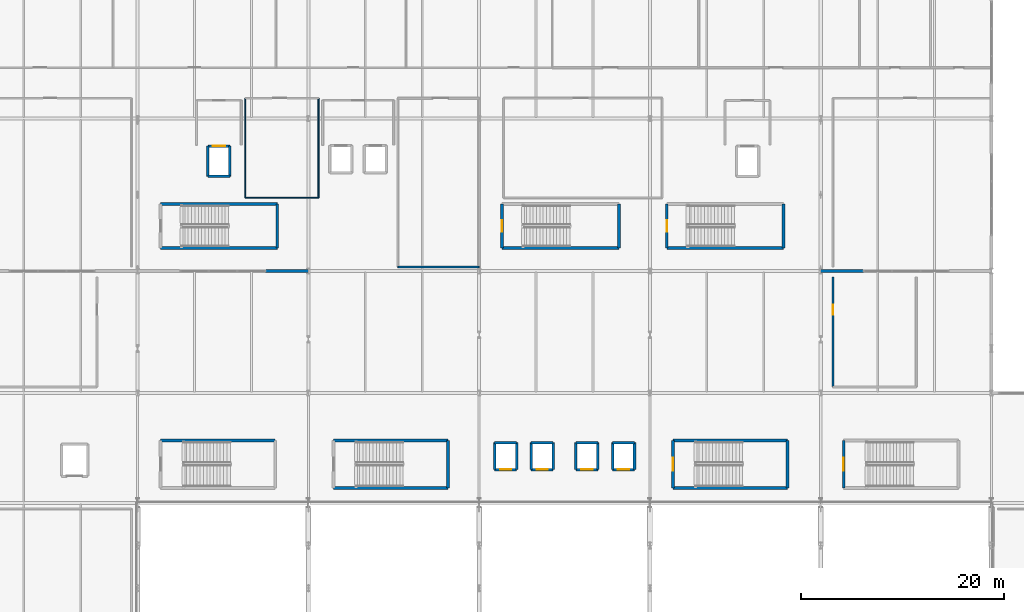
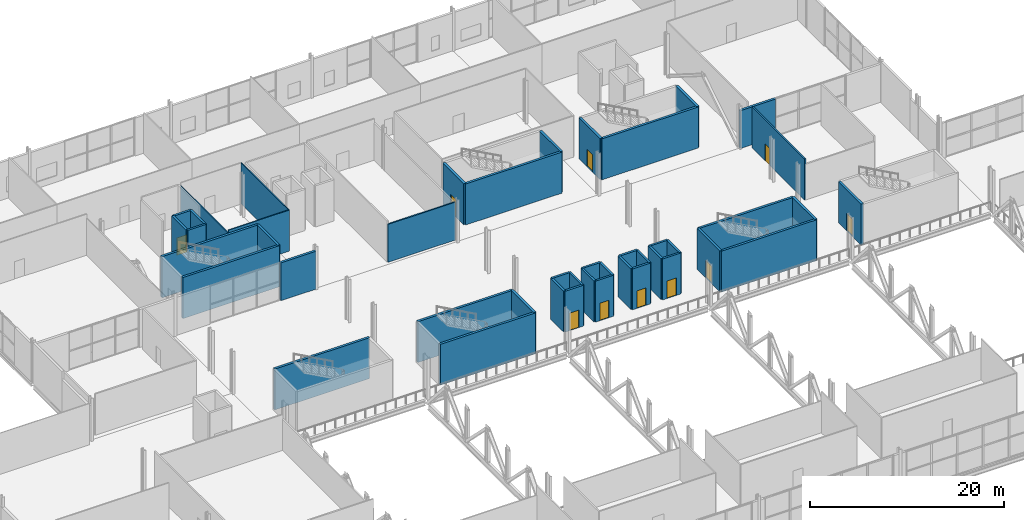
# One storey, part 62 of 84: 45 walls, 10 doors, 10 openings.
"""IFC4 building model written with IfcOpenShell, lengths in metres."""

from ifc_helpers import new_model, si_unit, direction, frame, frame_2d, origin, place, context, subcontext, project, spatial, rectangle, extrude, material, layer, layer_set, type_object, element, fill, save


model = new_model("IFC4")

# Units and contexts
model_context = context("Model", 3, precision=1e-05, world=origin(), true_north=direction((0.0, 1.0)))
body_context = subcontext(model_context, "Body", "Model", "MODEL_VIEW")
ifc_project = project(units=[si_unit("LENGTHUNIT", "METRE"), si_unit("AREAUNIT", "SQUARE_METRE"), si_unit("VOLUMEUNIT", "CUBIC_METRE"), si_unit("PLANEANGLEUNIT", "RADIAN"), si_unit("MASSUNIT", "GRAM", prefix="KILO")], contexts=[model_context])

# Site, building, storey
site_placement = place(None, origin())
site = spatial("IfcSite", under=ifc_project, at=site_placement, CompositionType="ELEMENT")
building_placement = place(site_placement, origin())
building = spatial("IfcBuilding", under=site, at=building_placement, Name="Kimbaza Rail Terminus", CompositionType="ELEMENT")
storey_placement = place(building_placement, frame((0.0, 0.0, 5.39990234375)))
storey = spatial("IfcBuildingStorey", under=building, at=storey_placement, Name="L01", CompositionType="ELEMENT", Elevation=5.39990234375)

# Walls
ifc_material_1 = material(Name="Precast concrete C40/50", Category="concrete")
ifc_layer_1 = layer(ifc_material_1, 0.280029296875)
ifc_layer_set_1 = layer_set([ifc_layer_1], Name="Precast concrete C40/50")
wall_type_1 = type_object("IfcWallType", Name="ARC-WL-EXT280", PredefinedType="STANDARD", material=ifc_layer_set_1)
for number, where, z_axis, x_axis, name in (
    (1, (84.60009765625, 103.0, 0.0), (0.0, 0.0, 1.0), (1.0, 0.0, 0.0), "Operations South Wall L01 1B"),
    (2, (139.199951171875, 103.0, 0.0), (0.0, 0.0, 1.0), (1.0, 0.0, 0.0), "Operations South Wall L01 5A"),
):
    element("IfcWall", number, at=place(storey_placement, frame(where, z_axis=z_axis, x_axis=x_axis)), inside=storey, type_object=wall_type_1, Name=name, PredefinedType="STANDARD", context=body_context, shape_type="SweptSolid", body=[
        extrude(rectangle(XDim=4.199951171875, YDim=0.280029296875, at=frame_2d((2.10009765625, 0.0))), origin(), (0.0, 0.0, 1.0), 4.76513671875),
    ])
ifc_material_2 = material(Name="Demountable acoustic glass wall", Category="glass")
ifc_layer_2 = layer(ifc_material_2, 0.110107421875)
ifc_layer_set_2 = layer_set([ifc_layer_2], Name="Demountable acoustic glass wall")
wall_type_2 = type_object("IfcWallType", Name="ARC-WL-MOV110", PredefinedType="MOVABLE", material=ifc_layer_set_2)
wall_1_placement = place(storey_placement, frame((82.60009765625, 110.199951171875, 0.0), z_axis=(0.0, 0.0, 1.0), x_axis=(1.0, 0.0, 0.0)))
element("IfcWall", 3, at=wall_1_placement, inside=storey, type_object=wall_type_2, Name="L01 Traction Metering Workshop Partition (south)", PredefinedType="MOVABLE", context=body_context, shape_type="SweptSolid", body=[
    extrude(rectangle(XDim=7.199951171875, YDim=0.110107421875, at=frame_2d((3.60009765625, 0.0))), origin(), (0.0, 0.0, 1.0), 5.16015625),
])
wall_2_placement = place(storey_placement, frame((89.800048828125, 110.199951171875, 0.0), z_axis=(0.0, 0.0, 1.0), x_axis=(0.0, 1.0, 0.0)))
element("IfcWall", 4, at=wall_2_placement, inside=storey, type_object=wall_type_2, Name="L01 Traction Metering Workshop Partition (east)", PredefinedType="MOVABLE", context=body_context, shape_type="SweptSolid", body=[
    extrude(rectangle(XDim=9.800048828125, YDim=0.110107421875, at=frame_2d((4.89990234375, 0.0))), origin(), (0.0, 0.0, 1.0), 5.16015625),
])
wall_3_placement = place(storey_placement, frame((82.60009765625, 120.0, 0.0), z_axis=(0.0, 0.0, 1.0), x_axis=(0.0, -1.0, 0.0)))
element("IfcWall", 5, at=wall_3_placement, inside=storey, type_object=wall_type_2, Name="L01 Traction Metering Workshop Partition (west)", PredefinedType="MOVABLE", context=body_context, shape_type="SweptSolid", body=[
    extrude(rectangle(XDim=9.800048828125, YDim=0.110107421875, at=frame_2d((4.89990234375, 0.0))), origin(), (0.0, 0.0, 1.0), 4.795166015625),
])
ifc_material_3 = material(Name="Acoustic gypsum stud partition", Category="gypsum")
ifc_layer_3 = layer(ifc_material_3, 0.159912109375)
ifc_layer_set_3 = layer_set([ifc_layer_3], Name="Acoustic gypsum stud partition")
wall_type_3 = type_object("IfcWallType", Name="ARC-WL-PART160", PredefinedType="PARTITIONING", material=ifc_layer_set_3)
wall_4_placement = place(storey_placement, frame((97.60009765625, 103.39990234375, 0.0), z_axis=(0.0, 0.0, 1.0), x_axis=(1.0, 0.0, 0.0)))
element("IfcWall", 6, at=wall_4_placement, inside=storey, type_object=wall_type_3, Name="L01 Network Dispatch Briefing Room Partition (south)", PredefinedType="PARTITIONING", context=body_context, shape_type="SweptSolid", body=[
    extrude(rectangle(XDim=8.0, YDim=0.159912109375, at=frame_2d((4.0, 0.0))), origin(), (0.0, 0.0, 1.0), 4.76513671875),
])

# Wall, opening, door
ifc_material_4 = material(Name="Moisture-resistant blockwork C25/30", Category="masonry")
ifc_layer_4 = layer(ifc_material_4, 0.169921875)
ifc_layer_set_4 = layer_set([ifc_layer_4], Name="Moisture-resistant blockwork C25/30")
wall_type_4 = type_object("IfcWallType", Name="ARC-WL-PLMB170", PredefinedType="PLUMBINGWALL", material=ifc_layer_set_4)
wall_5_placement = place(storey_placement, frame((140.39990234375, 102.39990234375, 0.0), z_axis=(0.0, 0.0, 1.0), x_axis=(0.0, -1.0, 0.0)))
wall_5 = element("IfcWall", 7, at=wall_5_placement, inside=storey, type_object=wall_type_4, Name="Mezzanine Accessible WC Partition (west)", PredefinedType="PLUMBINGWALL", context=body_context, shape_type="SweptSolid", body=[
    extrude(rectangle(XDim=10.7998046875, YDim=0.169921875, at=frame_2d((5.39990234375, 0.0))), origin(), (0.0, 0.0, 1.0), 5.16015625),
])
opening_1_placement = place(wall_5_placement, frame((2.72509765625, 0.0, 0.0)))
opening_1 = element("IfcOpeningElement", 8, at=opening_1_placement, cuts=wall_5, Name="Opening ID-06", PredefinedType="OPENING", context=body_context, shape_type="SweptSolid", body=[
    extrude(rectangle(XDim=0.949951171875, YDim=2.14990234375, at=frame_2d((0.47509765625, 1.074951171875))), frame((0.0, 0.094970703125, 0.0), z_axis=(0.0, -1.0, 0.0), x_axis=(1.0, 0.0, 0.0)), (0.0, 0.0, 1.0), 0.18994140625),
])
ifc_material_5 = material(Name="Accessible washroom outward-capable door", Category="wood")
door_type_1 = type_object("IfcDoorType", Name="ARC-DR-ID095", OperationType="NOTDEFINED", PredefinedType="DOOR", material=ifc_material_5)
door_1_placement = place(opening_1_placement, origin())
door_1 = element("IfcDoor", 9, at=door_1_placement, inside=storey, type_object=door_type_1, Name="IDR-SPC-L01-MAWC", OperationType="SINGLE_SWING_LEFT", OverallHeight=2.14990234375, OverallWidth=0.949951171875, PredefinedType="DOOR", context=body_context, shape_type="SweptSolid", body=[
    extrude(rectangle(XDim=0.949951171875, YDim=2.14990234375, at=frame_2d((0.47509765625, 1.074951171875))), frame((0.0, 0.02490234375, 0.0), z_axis=(0.0, -1.0, 0.0), x_axis=(1.0, 0.0, 0.0)), (0.0, 0.0, 1.0), 0.050048828125),
])
fill(opening_1, door_1)

ifc_material_6 = material(Name="Concrete C40/50", Category="concrete")
ifc_layer_5 = layer(ifc_material_6, 0.25)
ifc_layer_set_5 = layer_set([ifc_layer_5], Name="Concrete C40/50")
wall_type_5 = type_object("IfcWallType", Name="STR-WL-CORE250", PredefinedType="SHEAR", material=ifc_layer_set_5)
wall_6_placement = place(storey_placement, frame((107.1201171875, 83.469970703125, 0.0), z_axis=(0.0, 0.0, 1.0), x_axis=(1.0, 0.0, 0.0)))
wall_6 = element("IfcWall", 10, at=wall_6_placement, inside=storey, type_object=wall_type_5, Name="Lift Shaft Wall LP-01 L01-1", PredefinedType="SHEAR", context=body_context, shape_type="SweptSolid", body=[
    extrude(rectangle(XDim=2.159912109375, YDim=0.25, at=frame_2d((1.080078125, 0.0))), origin(), (0.0, 0.0, 1.0), 5.14013671875),
])
opening_2_placement = place(wall_6_placement, frame((0.530029296875, 0.0, 0.0)))
opening_2 = element("IfcOpeningElement", 11, at=opening_2_placement, cuts=wall_6, Name="Opening LD-01", PredefinedType="OPENING", context=body_context, shape_type="SweptSolid", body=[
    extrude(rectangle(XDim=1.10009765625, YDim=2.199951171875, at=frame_2d((0.550048828125, 1.10009765625))), frame((0.0, 0.135009765625, 0.0), z_axis=(0.0, -1.0, 0.0), x_axis=(1.0, 0.0, 0.0)), (0.0, 0.0, 1.0), 0.27001953125),
])
ifc_material_7 = material(Name="Brushed stainless steel sliding landing door", Category="steel")
door_type_2 = type_object("IfcDoorType", Name="ARC-DR-LD110", OperationType="NOTDEFINED", PredefinedType="DOOR", material=ifc_material_7)
door_2_placement = place(opening_2_placement, origin())
door_2 = element("IfcDoor", 12, at=door_2_placement, inside=storey, type_object=door_type_2, Name="LDR-LP-01-L01", OperationType="SLIDING_TO_LEFT", OverallHeight=2.199951171875, OverallWidth=1.10009765625, PredefinedType="DOOR", context=body_context, shape_type="SweptSolid", body=[
    extrude(rectangle(XDim=1.10009765625, YDim=2.199951171875, at=frame_2d((0.550048828125, 1.10009765625))), frame((0.0, 0.02490234375, 0.0), z_axis=(0.0, -1.0, 0.0), x_axis=(1.0, 0.0, 0.0)), (0.0, 0.0, 1.0), 0.050048828125),
])
fill(opening_2, door_2)

# Walls
wall_7_placement = place(storey_placement, frame((109.280029296875, 83.469970703125, 0.0), z_axis=(0.0, 0.0, 1.0), x_axis=(0.0, 1.0, 0.0)))
element("IfcWall", 13, at=wall_7_placement, inside=storey, type_object=wall_type_5, Name="Lift Shaft Wall LP-01 L01-2", PredefinedType="SHEAR", context=body_context, shape_type="SweptSolid", body=[
    extrude(rectangle(XDim=2.659912109375, YDim=0.25, at=frame_2d((1.330078125, 0.0))), origin(), (0.0, 0.0, 1.0), 5.14013671875),
])
wall_8_placement = place(storey_placement, frame((109.280029296875, 86.1298828125, 0.0), z_axis=(0.0, 0.0, 1.0), x_axis=(-1.0, 0.0, 0.0)))
element("IfcWall", 14, at=wall_8_placement, inside=storey, type_object=wall_type_5, Name="Lift Shaft Wall LP-01 L01-3", PredefinedType="SHEAR", context=body_context, shape_type="SweptSolid", body=[
    extrude(rectangle(XDim=2.159912109375, YDim=0.25, at=frame_2d((1.080078125, 0.0))), origin(), (0.0, 0.0, 1.0), 5.14013671875),
])
wall_9_placement = place(storey_placement, frame((107.1201171875, 86.1298828125, 0.0), z_axis=(0.0, 0.0, 1.0), x_axis=(0.0, -1.0, 0.0)))
element("IfcWall", 15, at=wall_9_placement, inside=storey, type_object=wall_type_5, Name="Lift Shaft Wall LP-01 L01-4", PredefinedType="SHEAR", context=body_context, shape_type="SweptSolid", body=[
    extrude(rectangle(XDim=2.659912109375, YDim=0.25, at=frame_2d((1.330078125, 0.0))), origin(), (0.0, 0.0, 1.0), 5.14013671875),
])

# Wall, opening, door
wall_10_placement = place(storey_placement, frame((110.719970703125, 83.469970703125, 0.0), z_axis=(0.0, 0.0, 1.0), x_axis=(1.0, 0.0, 0.0)))
wall_10 = element("IfcWall", 16, at=wall_10_placement, inside=storey, type_object=wall_type_5, Name="Lift Shaft Wall LP-02 L01-1", PredefinedType="SHEAR", context=body_context, shape_type="SweptSolid", body=[
    extrude(rectangle(XDim=2.159912109375, YDim=0.25, at=frame_2d((1.080078125, 0.0))), origin(), (0.0, 0.0, 1.0), 5.14013671875),
])
opening_3_placement = place(wall_10_placement, frame((0.530029296875, 0.0, 0.0)))
opening_3 = element("IfcOpeningElement", 17, at=opening_3_placement, cuts=wall_10, Name="Opening LD-01", PredefinedType="OPENING", context=body_context, shape_type="SweptSolid", body=[
    extrude(rectangle(XDim=1.10009765625, YDim=2.199951171875, at=frame_2d((0.550048828125, 1.10009765625))), frame((0.0, 0.135009765625, 0.0), z_axis=(0.0, -1.0, 0.0), x_axis=(1.0, 0.0, 0.0)), (0.0, 0.0, 1.0), 0.27001953125),
])
door_3_placement = place(opening_3_placement, origin())
door_3 = element("IfcDoor", 18, at=door_3_placement, inside=storey, type_object=door_type_2, Name="LDR-LP-02-L01", OperationType="SLIDING_TO_LEFT", OverallHeight=2.199951171875, OverallWidth=1.10009765625, PredefinedType="DOOR", context=body_context, shape_type="SweptSolid", body=[
    extrude(rectangle(XDim=1.10009765625, YDim=2.199951171875, at=frame_2d((0.550048828125, 1.10009765625))), frame((0.0, 0.02490234375, 0.0), z_axis=(0.0, -1.0, 0.0), x_axis=(1.0, 0.0, 0.0)), (0.0, 0.0, 1.0), 0.050048828125),
])
fill(opening_3, door_3)

# Walls
wall_11_placement = place(storey_placement, frame((112.8798828125, 83.469970703125, 0.0), z_axis=(0.0, 0.0, 1.0), x_axis=(0.0, 1.0, 0.0)))
element("IfcWall", 19, at=wall_11_placement, inside=storey, type_object=wall_type_5, Name="Lift Shaft Wall LP-02 L01-2", PredefinedType="SHEAR", context=body_context, shape_type="SweptSolid", body=[
    extrude(rectangle(XDim=2.659912109375, YDim=0.25, at=frame_2d((1.330078125, 0.0))), origin(), (0.0, 0.0, 1.0), 5.14013671875),
])
wall_12_placement = place(storey_placement, frame((112.8798828125, 86.1298828125, 0.0), z_axis=(0.0, 0.0, 1.0), x_axis=(-1.0, 0.0, 0.0)))
element("IfcWall", 20, at=wall_12_placement, inside=storey, type_object=wall_type_5, Name="Lift Shaft Wall LP-02 L01-3", PredefinedType="SHEAR", context=body_context, shape_type="SweptSolid", body=[
    extrude(rectangle(XDim=2.159912109375, YDim=0.25, at=frame_2d((1.080078125, 0.0))), origin(), (0.0, 0.0, 1.0), 5.14013671875),
])
wall_13_placement = place(storey_placement, frame((110.719970703125, 86.1298828125, 0.0), z_axis=(0.0, 0.0, 1.0), x_axis=(0.0, -1.0, 0.0)))
element("IfcWall", 21, at=wall_13_placement, inside=storey, type_object=wall_type_5, Name="Lift Shaft Wall LP-02 L01-4", PredefinedType="SHEAR", context=body_context, shape_type="SweptSolid", body=[
    extrude(rectangle(XDim=2.659912109375, YDim=0.25, at=frame_2d((1.330078125, 0.0))), origin(), (0.0, 0.0, 1.0), 5.14013671875),
])

# Wall, opening, door
wall_14_placement = place(storey_placement, frame((115.1201171875, 83.469970703125, 0.0), z_axis=(0.0, 0.0, 1.0), x_axis=(1.0, 0.0, 0.0)))
wall_14 = element("IfcWall", 22, at=wall_14_placement, inside=storey, type_object=wall_type_5, Name="Lift Shaft Wall LP-03 L01-1", PredefinedType="SHEAR", context=body_context, shape_type="SweptSolid", body=[
    extrude(rectangle(XDim=2.159912109375, YDim=0.25, at=frame_2d((1.080078125, 0.0))), origin(), (0.0, 0.0, 1.0), 5.14013671875),
])
opening_4_placement = place(wall_14_placement, frame((0.530029296875, 0.0, 0.0)))
opening_4 = element("IfcOpeningElement", 23, at=opening_4_placement, cuts=wall_14, Name="Opening LD-01", PredefinedType="OPENING", context=body_context, shape_type="SweptSolid", body=[
    extrude(rectangle(XDim=1.10009765625, YDim=2.199951171875, at=frame_2d((0.550048828125, 1.10009765625))), frame((0.0, 0.135009765625, 0.0), z_axis=(0.0, -1.0, 0.0), x_axis=(1.0, 0.0, 0.0)), (0.0, 0.0, 1.0), 0.27001953125),
])
door_4_placement = place(opening_4_placement, origin())
door_4 = element("IfcDoor", 24, at=door_4_placement, inside=storey, type_object=door_type_2, Name="LDR-LP-03-L01", OperationType="SLIDING_TO_LEFT", OverallHeight=2.199951171875, OverallWidth=1.10009765625, PredefinedType="DOOR", context=body_context, shape_type="SweptSolid", body=[
    extrude(rectangle(XDim=1.10009765625, YDim=2.199951171875, at=frame_2d((0.550048828125, 1.10009765625))), frame((0.0, 0.02490234375, 0.0), z_axis=(0.0, -1.0, 0.0), x_axis=(1.0, 0.0, 0.0)), (0.0, 0.0, 1.0), 0.050048828125),
])
fill(opening_4, door_4)

# Walls
wall_15_placement = place(storey_placement, frame((117.280029296875, 83.469970703125, 0.0), z_axis=(0.0, 0.0, 1.0), x_axis=(0.0, 1.0, 0.0)))
element("IfcWall", 25, at=wall_15_placement, inside=storey, type_object=wall_type_5, Name="Lift Shaft Wall LP-03 L01-2", PredefinedType="SHEAR", context=body_context, shape_type="SweptSolid", body=[
    extrude(rectangle(XDim=2.659912109375, YDim=0.25, at=frame_2d((1.330078125, 0.0))), origin(), (0.0, 0.0, 1.0), 5.14013671875),
])
wall_16_placement = place(storey_placement, frame((117.280029296875, 86.1298828125, 0.0), z_axis=(0.0, 0.0, 1.0), x_axis=(-1.0, 0.0, 0.0)))
element("IfcWall", 26, at=wall_16_placement, inside=storey, type_object=wall_type_5, Name="Lift Shaft Wall LP-03 L01-3", PredefinedType="SHEAR", context=body_context, shape_type="SweptSolid", body=[
    extrude(rectangle(XDim=2.159912109375, YDim=0.25, at=frame_2d((1.080078125, 0.0))), origin(), (0.0, 0.0, 1.0), 5.14013671875),
])
wall_17_placement = place(storey_placement, frame((115.1201171875, 86.1298828125, 0.0), z_axis=(0.0, 0.0, 1.0), x_axis=(0.0, -1.0, 0.0)))
element("IfcWall", 27, at=wall_17_placement, inside=storey, type_object=wall_type_5, Name="Lift Shaft Wall LP-03 L01-4", PredefinedType="SHEAR", context=body_context, shape_type="SweptSolid", body=[
    extrude(rectangle(XDim=2.659912109375, YDim=0.25, at=frame_2d((1.330078125, 0.0))), origin(), (0.0, 0.0, 1.0), 5.14013671875),
])

# Wall, opening, door
wall_18_placement = place(storey_placement, frame((118.719970703125, 83.469970703125, 0.0), z_axis=(0.0, 0.0, 1.0), x_axis=(1.0, 0.0, 0.0)))
wall_18 = element("IfcWall", 28, at=wall_18_placement, inside=storey, type_object=wall_type_5, Name="Lift Shaft Wall LP-04 L01-1", PredefinedType="SHEAR", context=body_context, shape_type="SweptSolid", body=[
    extrude(rectangle(XDim=2.159912109375, YDim=0.25, at=frame_2d((1.080078125, 0.0))), origin(), (0.0, 0.0, 1.0), 5.14013671875),
])
opening_5_placement = place(wall_18_placement, frame((0.530029296875, 0.0, 0.0)))
opening_5 = element("IfcOpeningElement", 29, at=opening_5_placement, cuts=wall_18, Name="Opening LD-01", PredefinedType="OPENING", context=body_context, shape_type="SweptSolid", body=[
    extrude(rectangle(XDim=1.10009765625, YDim=2.199951171875, at=frame_2d((0.550048828125, 1.10009765625))), frame((0.0, 0.135009765625, 0.0), z_axis=(0.0, -1.0, 0.0), x_axis=(1.0, 0.0, 0.0)), (0.0, 0.0, 1.0), 0.27001953125),
])
door_5_placement = place(opening_5_placement, origin())
door_5 = element("IfcDoor", 30, at=door_5_placement, inside=storey, type_object=door_type_2, Name="LDR-LP-04-L01", OperationType="SLIDING_TO_LEFT", OverallHeight=2.199951171875, OverallWidth=1.10009765625, PredefinedType="DOOR", context=body_context, shape_type="SweptSolid", body=[
    extrude(rectangle(XDim=1.10009765625, YDim=2.199951171875, at=frame_2d((0.550048828125, 1.10009765625))), frame((0.0, 0.02490234375, 0.0), z_axis=(0.0, -1.0, 0.0), x_axis=(1.0, 0.0, 0.0)), (0.0, 0.0, 1.0), 0.050048828125),
])
fill(opening_5, door_5)

# Walls
wall_19_placement = place(storey_placement, frame((120.8798828125, 83.469970703125, 0.0), z_axis=(0.0, 0.0, 1.0), x_axis=(0.0, 1.0, 0.0)))
element("IfcWall", 31, at=wall_19_placement, inside=storey, type_object=wall_type_5, Name="Lift Shaft Wall LP-04 L01-2", PredefinedType="SHEAR", context=body_context, shape_type="SweptSolid", body=[
    extrude(rectangle(XDim=2.659912109375, YDim=0.25, at=frame_2d((1.330078125, 0.0))), origin(), (0.0, 0.0, 1.0), 5.14013671875),
])
wall_20_placement = place(storey_placement, frame((120.8798828125, 86.1298828125, 0.0), z_axis=(0.0, 0.0, 1.0), x_axis=(-1.0, 0.0, 0.0)))
element("IfcWall", 32, at=wall_20_placement, inside=storey, type_object=wall_type_5, Name="Lift Shaft Wall LP-04 L01-3", PredefinedType="SHEAR", context=body_context, shape_type="SweptSolid", body=[
    extrude(rectangle(XDim=2.159912109375, YDim=0.25, at=frame_2d((1.080078125, 0.0))), origin(), (0.0, 0.0, 1.0), 5.14013671875),
])
wall_21_placement = place(storey_placement, frame((118.719970703125, 86.1298828125, 0.0), z_axis=(0.0, 0.0, 1.0), x_axis=(0.0, -1.0, 0.0)))
element("IfcWall", 33, at=wall_21_placement, inside=storey, type_object=wall_type_5, Name="Lift Shaft Wall LP-04 L01-4", PredefinedType="SHEAR", context=body_context, shape_type="SweptSolid", body=[
    extrude(rectangle(XDim=2.659912109375, YDim=0.25, at=frame_2d((1.330078125, 0.0))), origin(), (0.0, 0.0, 1.0), 5.14013671875),
])
wall_22_placement = place(storey_placement, frame((78.919921875, 112.320068359375, 0.0), z_axis=(0.0, 0.0, 1.0), x_axis=(1.0, 0.0, 0.0)))
element("IfcWall", 34, at=wall_22_placement, inside=storey, type_object=wall_type_5, Name="Lift Shaft Wall LF-01 L01-1", PredefinedType="SHEAR", context=body_context, shape_type="SweptSolid", body=[
    extrude(rectangle(XDim=2.16015625, YDim=0.25, at=frame_2d((1.080078125, 0.0))), origin(), (0.0, 0.0, 1.0), 5.16015625),
])
wall_23_placement = place(storey_placement, frame((81.080078125, 112.320068359375, 0.0), z_axis=(0.0, 0.0, 1.0), x_axis=(0.0, 1.0, 0.0)))
element("IfcWall", 35, at=wall_23_placement, inside=storey, type_object=wall_type_5, Name="Lift Shaft Wall LF-01 L01-2", PredefinedType="SHEAR", context=body_context, shape_type="SweptSolid", body=[
    extrude(rectangle(XDim=2.9599609375, YDim=0.25, at=frame_2d((1.47998046875, 0.0))), origin(), (0.0, 0.0, 1.0), 5.16015625),
])

# Wall, opening, door
wall_24_placement = place(storey_placement, frame((81.080078125, 115.280029296875, 0.0), z_axis=(0.0, 0.0, 1.0), x_axis=(-1.0, 0.0, 0.0)))
wall_24 = element("IfcWall", 36, at=wall_24_placement, inside=storey, type_object=wall_type_5, Name="Lift Shaft Wall LF-01 L01-3", PredefinedType="SHEAR", context=body_context, shape_type="SweptSolid", body=[
    extrude(rectangle(XDim=2.16015625, YDim=0.25, at=frame_2d((1.080078125, 0.0))), origin(), (0.0, 0.0, 1.0), 5.16015625),
])
opening_6_placement = place(wall_24_placement, frame((0.47998046875, 0.0, 0.0)))
opening_6 = element("IfcOpeningElement", 37, at=opening_6_placement, cuts=wall_24, Name="Opening LD-02", PredefinedType="OPENING", context=body_context, shape_type="SweptSolid", body=[
    extrude(rectangle(XDim=1.199951171875, YDim=2.199951171875, at=frame_2d((0.60009765625, 1.10009765625))), frame((0.0, 0.135009765625, 0.0), z_axis=(0.0, -1.0, 0.0), x_axis=(1.0, 0.0, 0.0)), (0.0, 0.0, 1.0), 0.27001953125),
])
ifc_material_8 = material(Name="Firefighting stainless steel landing door", Category="steel")
door_type_3 = type_object("IfcDoorType", Name="ARC-DR-LD120", OperationType="NOTDEFINED", PredefinedType="DOOR", material=ifc_material_8)
door_6_placement = place(opening_6_placement, origin())
door_6 = element("IfcDoor", 38, at=door_6_placement, inside=storey, type_object=door_type_3, Name="LDR-LF-01-L01", OperationType="SLIDING_TO_LEFT", OverallHeight=2.199951171875, OverallWidth=1.199951171875, PredefinedType="DOOR", context=body_context, shape_type="SweptSolid", body=[
    extrude(rectangle(XDim=1.199951171875, YDim=2.199951171875, at=frame_2d((0.60009765625, 1.10009765625))), frame((0.0, 0.02490234375, 0.0), z_axis=(0.0, -1.0, 0.0), x_axis=(1.0, 0.0, 0.0)), (0.0, 0.0, 1.0), 0.050048828125),
])
fill(opening_6, door_6)

# Walls
wall_25_placement = place(storey_placement, frame((78.919921875, 115.280029296875, 0.0), z_axis=(0.0, 0.0, 1.0), x_axis=(0.0, -1.0, 0.0)))
element("IfcWall", 39, at=wall_25_placement, inside=storey, type_object=wall_type_5, Name="Lift Shaft Wall LF-01 L01-4", PredefinedType="SHEAR", context=body_context, shape_type="SweptSolid", body=[
    extrude(rectangle(XDim=2.9599609375, YDim=0.25, at=frame_2d((1.47998046875, 0.0))), origin(), (0.0, 0.0, 1.0), 5.16015625),
])
ifc_material_9 = material(Name="Concrete C40/50", Category="concrete")
ifc_layer_6 = layer(ifc_material_9, 0.280029296875)
ifc_layer_set_6 = layer_set([ifc_layer_6], Name="Concrete C40/50")
wall_type_6 = type_object("IfcWallType", Name="STR-WL-CORE280", PredefinedType="SHEAR", material=ifc_layer_set_6)
wall_26_placement = place(storey_placement, frame((74.260009765625, 105.260009765625, 0.0), z_axis=(0.0, 0.0, 1.0), x_axis=(1.0, 0.0, 0.0)))
element("IfcWall", 40, at=wall_26_placement, inside=storey, type_object=wall_type_6, Name="Operations West Exit Stair Shaft Wall L01-1", PredefinedType="SHEAR", context=body_context, shape_type="SweptSolid", body=[
    extrude(rectangle(XDim=11.47998046875, YDim=0.280029296875, at=frame_2d((5.739990234375, 0.0))), origin(), (0.0, 0.0, 1.0), 5.16015625),
])
wall_27_placement = place(storey_placement, frame((85.739990234375, 105.260009765625, 0.0), z_axis=(0.0, 0.0, 1.0), x_axis=(0.0, 1.0, 0.0)))
element("IfcWall", 41, at=wall_27_placement, inside=storey, type_object=wall_type_6, Name="Operations West Exit Stair Shaft Wall L01-2", PredefinedType="SHEAR", context=body_context, shape_type="SweptSolid", body=[
    extrude(rectangle(XDim=4.320068359375, YDim=0.280029296875, at=frame_2d((2.16015625, 0.0))), origin(), (0.0, 0.0, 1.0), 5.16015625),
])
for number, where, z_axis, x_axis, name in (
    (42, (85.739990234375, 109.580078125, 0.0), (0.0, 0.0, 1.0), (-1.0, 0.0, 0.0), "Operations West Exit Stair Shaft Wall L01-3"),
    (43, (107.860107421875, 105.260009765625, 0.0), (0.0, 0.0, 1.0), (1.0, 0.0, 0.0), "Operations Central Exit Stair Shaft Wall L01-1"),
):
    element("IfcWall", number, at=place(storey_placement, frame(where, z_axis=z_axis, x_axis=x_axis)), inside=storey, type_object=wall_type_6, Name=name, PredefinedType="SHEAR", context=body_context, shape_type="SweptSolid", body=[
        extrude(rectangle(XDim=11.47998046875, YDim=0.280029296875, at=frame_2d((5.739990234375, 0.0))), origin(), (0.0, 0.0, 1.0), 5.16015625),
    ])
wall_28_placement = place(storey_placement, frame((119.340087890625, 105.260009765625, 0.0), z_axis=(0.0, 0.0, 1.0), x_axis=(0.0, 1.0, 0.0)))
element("IfcWall", 44, at=wall_28_placement, inside=storey, type_object=wall_type_6, Name="Operations Central Exit Stair Shaft Wall L01-2", PredefinedType="SHEAR", context=body_context, shape_type="SweptSolid", body=[
    extrude(rectangle(XDim=4.320068359375, YDim=0.280029296875, at=frame_2d((2.16015625, 0.0))), origin(), (0.0, 0.0, 1.0), 5.16015625),
])

# Wall, opening, door
wall_29_placement = place(storey_placement, frame((107.860107421875, 109.580078125, 0.0), z_axis=(0.0, 0.0, 1.0), x_axis=(0.0, -1.0, 0.0)))
wall_29 = element("IfcWall", 45, at=wall_29_placement, inside=storey, type_object=wall_type_6, Name="Operations Central Exit Stair Shaft Wall L01-4", PredefinedType="SHEAR", context=body_context, shape_type="SweptSolid", body=[
    extrude(rectangle(XDim=4.320068359375, YDim=0.280029296875, at=frame_2d((2.16015625, 0.0))), origin(), (0.0, 0.0, 1.0), 5.16015625),
])
opening_7_placement = place(wall_29_placement, frame((1.5849609375, 0.0, 0.0)))
opening_7 = element("IfcOpeningElement", 46, at=opening_7_placement, cuts=wall_29, Name="Opening FD-03", PredefinedType="OPENING", context=body_context, shape_type="SweptSolid", body=[
    extrude(rectangle(XDim=1.14990234375, YDim=2.199951171875, at=frame_2d((0.574951171875, 1.10009765625))), frame((0.0, 0.14990234375, 0.0), z_axis=(0.0, -1.0, 0.0), x_axis=(1.0, 0.0, 0.0)), (0.0, 0.0, 1.0), 0.300048828125),
])
ifc_material_10 = material(Name="Firefighting lobby self-closing steel door", Category="steel")
door_type_4 = type_object("IfcDoorType", Name="ARC-DR-FD115", OperationType="NOTDEFINED", PredefinedType="DOOR", material=ifc_material_10)
door_7_placement = place(opening_7_placement, origin())
door_7 = element("IfcDoor", 47, at=door_7_placement, inside=storey, type_object=door_type_4, Name="SDR-ST-M1-L01", OperationType="SINGLE_SWING_LEFT", OverallHeight=2.199951171875, OverallWidth=1.14990234375, PredefinedType="DOOR", context=body_context, shape_type="SweptSolid", body=[
    extrude(rectangle(XDim=1.14990234375, YDim=2.199951171875, at=frame_2d((0.574951171875, 1.10009765625))), frame((0.0, 0.02490234375, 0.0), z_axis=(0.0, -1.0, 0.0), x_axis=(1.0, 0.0, 0.0)), (0.0, 0.0, 1.0), 0.050048828125),
])
fill(opening_7, door_7)

# Walls
wall_30_placement = place(storey_placement, frame((124.06005859375, 105.260009765625, 0.0), z_axis=(0.0, 0.0, 1.0), x_axis=(1.0, 0.0, 0.0)))
element("IfcWall", 48, at=wall_30_placement, inside=storey, type_object=wall_type_6, Name="Operations East Exit Stair Shaft Wall L01-1", PredefinedType="SHEAR", context=body_context, shape_type="SweptSolid", body=[
    extrude(rectangle(XDim=11.47998046875, YDim=0.280029296875, at=frame_2d((5.739990234375, 0.0))), origin(), (0.0, 0.0, 1.0), 5.16015625),
])
wall_31_placement = place(storey_placement, frame((135.5400390625, 105.260009765625, 0.0), z_axis=(0.0, 0.0, 1.0), x_axis=(0.0, 1.0, 0.0)))
element("IfcWall", 49, at=wall_31_placement, inside=storey, type_object=wall_type_6, Name="Operations East Exit Stair Shaft Wall L01-2", PredefinedType="SHEAR", context=body_context, shape_type="SweptSolid", body=[
    extrude(rectangle(XDim=4.320068359375, YDim=0.280029296875, at=frame_2d((2.16015625, 0.0))), origin(), (0.0, 0.0, 1.0), 5.16015625),
])

# Wall, opening, door
wall_32_placement = place(storey_placement, frame((124.06005859375, 109.580078125, 0.0), z_axis=(0.0, 0.0, 1.0), x_axis=(0.0, -1.0, 0.0)))
wall_32 = element("IfcWall", 50, at=wall_32_placement, inside=storey, type_object=wall_type_6, Name="Operations East Exit Stair Shaft Wall L01-4", PredefinedType="SHEAR", context=body_context, shape_type="SweptSolid", body=[
    extrude(rectangle(XDim=4.320068359375, YDim=0.280029296875, at=frame_2d((2.16015625, 0.0))), origin(), (0.0, 0.0, 1.0), 5.16015625),
])
opening_8_placement = place(wall_32_placement, frame((1.5849609375, 0.0, 0.0)))
opening_8 = element("IfcOpeningElement", 51, at=opening_8_placement, cuts=wall_32, Name="Opening FD-03", PredefinedType="OPENING", context=body_context, shape_type="SweptSolid", body=[
    extrude(rectangle(XDim=1.14990234375, YDim=2.199951171875, at=frame_2d((0.574951171875, 1.10009765625))), frame((0.0, 0.14990234375, 0.0), z_axis=(0.0, -1.0, 0.0), x_axis=(1.0, 0.0, 0.0)), (0.0, 0.0, 1.0), 0.300048828125),
])
door_8_placement = place(opening_8_placement, origin())
door_8 = element("IfcDoor", 52, at=door_8_placement, inside=storey, type_object=door_type_4, Name="SDR-ST-E1-L01", OperationType="SINGLE_SWING_LEFT", OverallHeight=2.199951171875, OverallWidth=1.14990234375, PredefinedType="DOOR", context=body_context, shape_type="SweptSolid", body=[
    extrude(rectangle(XDim=1.14990234375, YDim=2.199951171875, at=frame_2d((0.574951171875, 1.10009765625))), frame((0.0, 0.02490234375, 0.0), z_axis=(0.0, -1.0, 0.0), x_axis=(1.0, 0.0, 0.0)), (0.0, 0.0, 1.0), 0.050048828125),
])
fill(opening_8, door_8)

# Wall
wall_33_placement = place(storey_placement, frame((85.5400390625, 86.340087890625, 0.0), z_axis=(0.0, 0.0, 1.0), x_axis=(-1.0, 0.0, 0.0)))
element("IfcWall", 53, at=wall_33_placement, inside=storey, type_object=wall_type_6, Name="Platform West Concourse Stair Shaft Wall L01-3", PredefinedType="SHEAR", context=body_context, shape_type="SweptSolid", body=[
    extrude(rectangle(XDim=11.280029296875, YDim=0.280029296875, at=frame_2d((5.64013671875, 0.0))), origin(), (0.0, 0.0, 1.0), 5.14013671875),
])

# Wall, opening, door
wall_34_placement = place(storey_placement, frame((141.4599609375, 86.340087890625, 0.0), z_axis=(0.0, 0.0, 1.0), x_axis=(0.0, -1.0, 0.0)))
wall_34 = element("IfcWall", 54, at=wall_34_placement, inside=storey, type_object=wall_type_6, Name="Platform East Concourse Stair Shaft Wall L01-4", PredefinedType="SHEAR", context=body_context, shape_type="SweptSolid", body=[
    extrude(rectangle(XDim=4.68017578125, YDim=0.280029296875, at=frame_2d((2.340087890625, 0.0))), origin(), (0.0, 0.0, 1.0), 5.14013671875),
])
opening_9_placement = place(wall_34_placement, frame((1.715087890625, 0.0, 0.0)))
opening_9 = element("IfcOpeningElement", 55, at=opening_9_placement, cuts=wall_34, Name="Opening FD-02", PredefinedType="OPENING", context=body_context, shape_type="SweptSolid", body=[
    extrude(rectangle(XDim=1.25, YDim=2.199951171875, at=frame_2d((0.625, 1.10009765625))), frame((0.0, 0.14990234375, 0.0), z_axis=(0.0, -1.0, 0.0), x_axis=(1.0, 0.0, 0.0)), (0.0, 0.0, 1.0), 0.300048828125),
])
ifc_material_11 = material(Name="Galvanised painted steel fire stair door", Category="steel")
door_type_5 = type_object("IfcDoorType", Name="ARC-DR-FD125", OperationType="NOTDEFINED", PredefinedType="DOOR", material=ifc_material_11)
door_9_placement = place(opening_9_placement, origin())
door_9 = element("IfcDoor", 56, at=door_9_placement, inside=storey, type_object=door_type_5, Name="SDR-ST-C2-L01", OperationType="SINGLE_SWING_LEFT", OverallHeight=2.199951171875, OverallWidth=1.25, PredefinedType="DOOR", context=body_context, shape_type="SweptSolid", body=[
    extrude(rectangle(XDim=1.25, YDim=2.199951171875, at=frame_2d((0.625, 1.10009765625))), frame((0.0, 0.02490234375, 0.0), z_axis=(0.0, -1.0, 0.0), x_axis=(1.0, 0.0, 0.0)), (0.0, 0.0, 1.0), 0.050048828125),
])
fill(opening_9, door_9)

# Walls
wall_35_placement = place(storey_placement, frame((91.260009765625, 81.659912109375, 0.0), z_axis=(0.0, 0.0, 1.0), x_axis=(1.0, 0.0, 0.0)))
element("IfcWall", 57, at=wall_35_placement, inside=storey, type_object=wall_type_6, Name="Footbridge West Platform Stair Shaft Wall L01-1", PredefinedType="SHEAR", context=body_context, shape_type="SweptSolid", body=[
    extrude(rectangle(XDim=11.280029296875, YDim=0.280029296875, at=frame_2d((5.64013671875, 0.0))), origin(), (0.0, 0.0, 1.0), 5.14013671875),
])
wall_36_placement = place(storey_placement, frame((102.5400390625, 81.659912109375, 0.0), z_axis=(0.0, 0.0, 1.0), x_axis=(0.0, 1.0, 0.0)))
element("IfcWall", 58, at=wall_36_placement, inside=storey, type_object=wall_type_6, Name="Footbridge West Platform Stair Shaft Wall L01-2", PredefinedType="SHEAR", context=body_context, shape_type="SweptSolid", body=[
    extrude(rectangle(XDim=4.68017578125, YDim=0.280029296875, at=frame_2d((2.340087890625, 0.0))), origin(), (0.0, 0.0, 1.0), 5.14013671875),
])
for number, where, z_axis, x_axis, name in (
    (59, (102.5400390625, 86.340087890625, 0.0), (0.0, 0.0, 1.0), (-1.0, 0.0, 0.0), "Footbridge West Platform Stair Shaft Wall L01-3"),
    (60, (124.659912109375, 81.659912109375, 0.0), (0.0, 0.0, 1.0), (1.0, 0.0, 0.0), "Footbridge East Platform Stair Shaft Wall L01-1"),
):
    element("IfcWall", number, at=place(storey_placement, frame(where, z_axis=z_axis, x_axis=x_axis)), inside=storey, type_object=wall_type_6, Name=name, PredefinedType="SHEAR", context=body_context, shape_type="SweptSolid", body=[
        extrude(rectangle(XDim=11.280029296875, YDim=0.280029296875, at=frame_2d((5.64013671875, 0.0))), origin(), (0.0, 0.0, 1.0), 5.14013671875),
    ])
wall_37_placement = place(storey_placement, frame((135.93994140625, 81.659912109375, 0.0), z_axis=(0.0, 0.0, 1.0), x_axis=(0.0, 1.0, 0.0)))
element("IfcWall", 61, at=wall_37_placement, inside=storey, type_object=wall_type_6, Name="Footbridge East Platform Stair Shaft Wall L01-2", PredefinedType="SHEAR", context=body_context, shape_type="SweptSolid", body=[
    extrude(rectangle(XDim=4.68017578125, YDim=0.280029296875, at=frame_2d((2.340087890625, 0.0))), origin(), (0.0, 0.0, 1.0), 5.14013671875),
])
wall_38_placement = place(storey_placement, frame((135.93994140625, 86.340087890625, 0.0), z_axis=(0.0, 0.0, 1.0), x_axis=(-1.0, 0.0, 0.0)))
element("IfcWall", 62, at=wall_38_placement, inside=storey, type_object=wall_type_6, Name="Footbridge East Platform Stair Shaft Wall L01-3", PredefinedType="SHEAR", context=body_context, shape_type="SweptSolid", body=[
    extrude(rectangle(XDim=11.280029296875, YDim=0.280029296875, at=frame_2d((5.64013671875, 0.0))), origin(), (0.0, 0.0, 1.0), 5.14013671875),
])

# Wall, opening, door
wall_39_placement = place(storey_placement, frame((124.659912109375, 86.340087890625, 0.0), z_axis=(0.0, 0.0, 1.0), x_axis=(0.0, -1.0, 0.0)))
wall_39 = element("IfcWall", 63, at=wall_39_placement, inside=storey, type_object=wall_type_6, Name="Footbridge East Platform Stair Shaft Wall L01-4", PredefinedType="SHEAR", context=body_context, shape_type="SweptSolid", body=[
    extrude(rectangle(XDim=4.68017578125, YDim=0.280029296875, at=frame_2d((2.340087890625, 0.0))), origin(), (0.0, 0.0, 1.0), 5.14013671875),
])
opening_10_placement = place(wall_39_placement, frame((1.715087890625, 0.0, 0.0)))
opening_10 = element("IfcOpeningElement", 64, at=opening_10_placement, cuts=wall_39, Name="Opening FD-02", PredefinedType="OPENING", context=body_context, shape_type="SweptSolid", body=[
    extrude(rectangle(XDim=1.25, YDim=2.199951171875, at=frame_2d((0.625, 1.10009765625))), frame((0.0, 0.14990234375, 0.0), z_axis=(0.0, -1.0, 0.0), x_axis=(1.0, 0.0, 0.0)), (0.0, 0.0, 1.0), 0.300048828125),
])
door_10_placement = place(opening_10_placement, origin())
door_10 = element("IfcDoor", 65, at=door_10_placement, inside=storey, type_object=door_type_5, Name="SDR-ST-C4-L01", OperationType="SINGLE_SWING_RIGHT", OverallHeight=2.199951171875, OverallWidth=1.25, PredefinedType="DOOR", context=body_context, shape_type="SweptSolid", body=[
    extrude(rectangle(XDim=1.25, YDim=2.199951171875, at=frame_2d((0.625, 1.10009765625))), frame((0.0, 0.02490234375, 0.0), z_axis=(0.0, -1.0, 0.0), x_axis=(1.0, 0.0, 0.0)), (0.0, 0.0, 1.0), 0.050048828125),
])
fill(opening_10, door_10)

save(model, "model.ifc")
